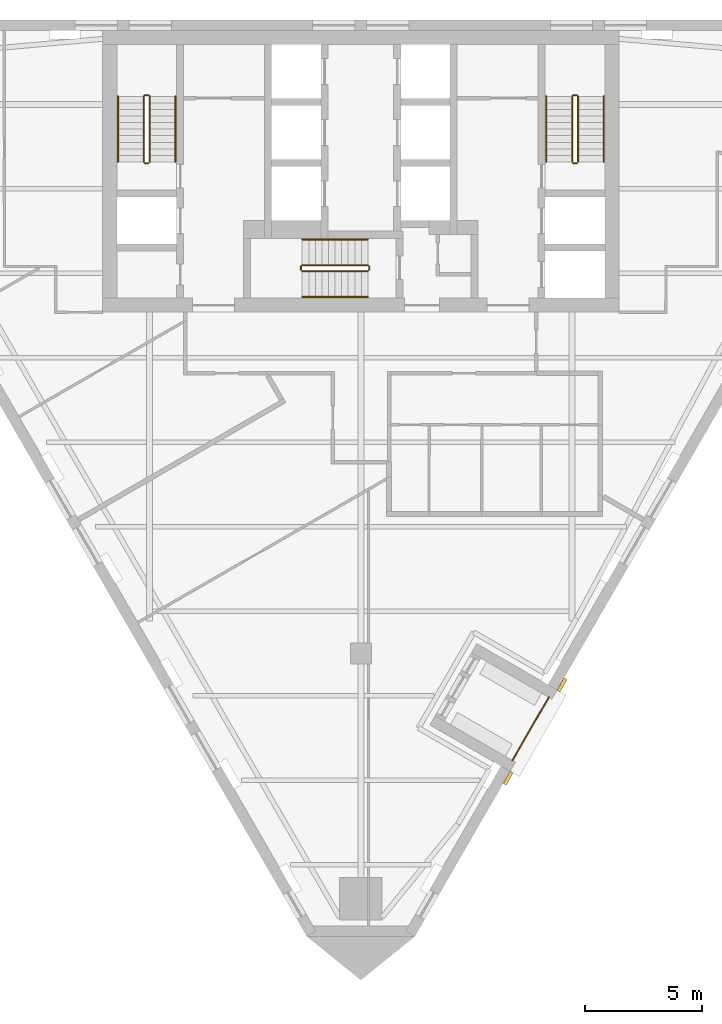
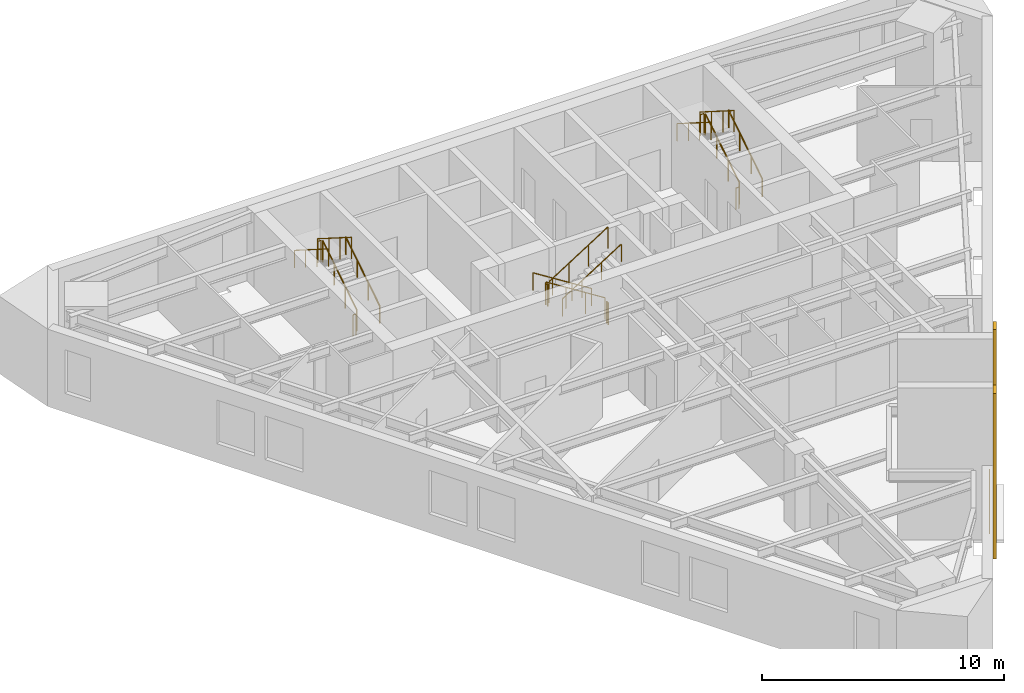
# One storey, part 7 of 7: 19 railings, 2 coverings.
"""IFC4 building model written with IfcOpenShell, lengths in metres."""

from ifc_helpers import new_model, si_unit, direction, frame, origin, origin_2d, place, context, subcontext, project, spatial, polyline, circle, outline, extrude, material, layer, layer_set, type_object, element, save


model = new_model("IFC4")

# Units and contexts
model_context = context("Model", 3, precision=1e-05, world=origin(), true_north=direction((0.0, 1.0)))
body_context = subcontext(model_context, "Body", "Model", "MODEL_VIEW")
ifc_project = project(units=[si_unit("LENGTHUNIT", "METRE"), si_unit("AREAUNIT", "SQUARE_METRE"), si_unit("VOLUMEUNIT", "CUBIC_METRE"), si_unit("PLANEANGLEUNIT", "RADIAN"), si_unit("MASSUNIT", "GRAM", prefix="KILO")], contexts=[model_context])

# Site, building, storey
site_placement = place(None, origin())
site = spatial("IfcSite", under=ifc_project, at=site_placement, CompositionType="ELEMENT")
building_placement = place(site_placement, origin())
building = spatial("IfcBuilding", under=site, at=building_placement, Name="Aloe Facet Convention Tower", CompositionType="ELEMENT")
storey_placement = place(building_placement, frame((0.0, 0.0, 163.699951171875)))
storey = spatial("IfcBuildingStorey", under=building, at=storey_placement, Name="L41", CompositionType="ELEMENT", Elevation=163.699951171875)

# Railings
ifc_material_1 = material(Name="Steel S355 balustrade", Category="steel")
railing_type_1 = type_object("IfcRailingType", Name="CR-RL-GUARD", PredefinedType="GUARDRAIL", material=ifc_material_1)
railing_1_placement = place(storey_placement, frame((71.0, 128.949951171875, 0.17724609375)))
element("IfcRailing", 1, at=railing_1_placement, inside=storey, type_object=railing_type_1, Name="L41 ST1 stair guard 1", PredefinedType="GUARDRAIL", context=body_context, shape_type="SweptSolid", body=[
    extrude(circle(Radius=0.02392578125, at=origin_2d()), frame((0.0, 0.0, 1.076171875), z_axis=(0.0, 0.844908973607, 0.534910110503), x_axis=(-1.0, 0.0, 0.0)), (0.0, 0.0, 1.0), 3.31396484375),
    extrude(circle(Radius=0.02099609375, at=origin_2d()), origin(), (0.0, 0.0, 1.0), 1.052001953125),
    extrude(circle(Radius=0.02099609375, at=origin_2d()), frame((0.0, 0.933349609375, 0.5908203125)), (0.0, 0.0, 1.0), 1.052001953125),
    extrude(circle(Radius=0.02099609375, at=origin_2d()), frame((0.0, 1.86669921875, 1.181884765625)), (0.0, 0.0, 1.0), 1.052001953125),
    extrude(circle(Radius=0.02099609375, at=origin_2d()), frame((0.0, 2.800048828125, 1.772705078125)), (0.0, 0.0, 1.0), 1.052001953125),
])
railing_2_placement = place(storey_placement, frame((70.949951171875, 131.800048828125, 1.949951171875)))
element("IfcRailing", 2, at=railing_2_placement, inside=storey, type_object=railing_type_1, Name="L41 ST1 stair guard 2", PredefinedType="GUARDRAIL", context=body_context, shape_type="SweptSolid", body=[
    extrude(circle(Radius=0.02392578125, at=origin_2d()), frame((0.0, 0.0, 1.076171875), z_axis=(-1.0, 0.0, 0.0), x_axis=(0.0, -1.0, 0.0)), (0.0, 0.0, 1.0), 0.14990234375),
    extrude(circle(Radius=0.02099609375, at=origin_2d()), origin(), (0.0, 0.0, 1.0), 1.052001953125),
    extrude(circle(Radius=0.02099609375, at=origin_2d()), frame((-0.14990234375, 0.0, 0.0)), (0.0, 0.0, 1.0), 1.052001953125),
])
railing_3_placement = place(storey_placement, frame((70.75, 131.75, 2.12744140625)))
element("IfcRailing", 3, at=railing_3_placement, inside=storey, type_object=railing_type_1, Name="L41 ST1 stair guard 3", PredefinedType="GUARDRAIL", context=body_context, shape_type="SweptSolid", body=[
    extrude(circle(Radius=0.02392578125, at=origin_2d()), frame((0.0, 0.0, 1.076171875), z_axis=(0.0, -0.844908973607, 0.534910110503), x_axis=(1.0, 0.0, 0.0)), (0.0, 0.0, 1.0), 3.31396484375),
    extrude(circle(Radius=0.02099609375, at=origin_2d()), origin(), (0.0, 0.0, 1.0), 1.052001953125),
    extrude(circle(Radius=0.02099609375, at=origin_2d()), frame((0.0, -0.933349609375, 0.5908203125)), (0.0, 0.0, 1.0), 1.052001953125),
    extrude(circle(Radius=0.02099609375, at=origin_2d()), frame((0.0, -1.86669921875, 1.181884765625)), (0.0, 0.0, 1.0), 1.052001953125),
    extrude(circle(Radius=0.02099609375, at=origin_2d()), frame((0.0, -2.800048828125, 1.772705078125)), (0.0, 0.0, 1.0), 1.052001953125),
])
railing_4_placement = place(storey_placement, frame((70.949951171875, 128.89990234375, 0.0)))
element("IfcRailing", 4, at=railing_4_placement, inside=storey, type_object=railing_type_1, Name="L41 ST1 stair guard 4", PredefinedType="GUARDRAIL", context=body_context, shape_type="SweptSolid", body=[
    extrude(circle(Radius=0.02392578125, at=origin_2d()), frame((0.0, 0.0, 1.076171875), z_axis=(-1.0, 0.0, 0.0), x_axis=(0.0, -1.0, 0.0)), (0.0, 0.0, 1.0), 0.14990234375),
    extrude(circle(Radius=0.02099609375, at=origin_2d()), origin(), (0.0, 0.0, 1.0), 1.052001953125),
    extrude(circle(Radius=0.02099609375, at=origin_2d()), frame((-0.14990234375, 0.0, 0.0)), (0.0, 0.0, 1.0), 1.052001953125),
])
railing_5_placement = place(storey_placement, frame((89.25, 128.949951171875, 0.17724609375)))
element("IfcRailing", 5, at=railing_5_placement, inside=storey, type_object=railing_type_1, Name="L41 ST2 stair guard 1", PredefinedType="GUARDRAIL", context=body_context, shape_type="SweptSolid", body=[
    extrude(circle(Radius=0.02392578125, at=origin_2d()), frame((0.0, 0.0, 1.076171875), z_axis=(0.0, 0.844908973607, 0.534910110503), x_axis=(-1.0, 0.0, 0.0)), (0.0, 0.0, 1.0), 3.31396484375),
    extrude(circle(Radius=0.02099609375, at=origin_2d()), origin(), (0.0, 0.0, 1.0), 1.052001953125),
    extrude(circle(Radius=0.02099609375, at=origin_2d()), frame((0.0, 0.933349609375, 0.5908203125)), (0.0, 0.0, 1.0), 1.052001953125),
    extrude(circle(Radius=0.02099609375, at=origin_2d()), frame((0.0, 1.86669921875, 1.181884765625)), (0.0, 0.0, 1.0), 1.052001953125),
    extrude(circle(Radius=0.02099609375, at=origin_2d()), frame((0.0, 2.800048828125, 1.772705078125)), (0.0, 0.0, 1.0), 1.052001953125),
])
railing_6_placement = place(storey_placement, frame((89.199951171875, 131.800048828125, 1.949951171875)))
element("IfcRailing", 6, at=railing_6_placement, inside=storey, type_object=railing_type_1, Name="L41 ST2 stair guard 2", PredefinedType="GUARDRAIL", context=body_context, shape_type="SweptSolid", body=[
    extrude(circle(Radius=0.02392578125, at=origin_2d()), frame((0.0, 0.0, 1.076171875), z_axis=(-1.0, 0.0, 0.0), x_axis=(0.0, -1.0, 0.0)), (0.0, 0.0, 1.0), 0.14990234375),
    extrude(circle(Radius=0.02099609375, at=origin_2d()), origin(), (0.0, 0.0, 1.0), 1.052001953125),
    extrude(circle(Radius=0.02099609375, at=origin_2d()), frame((-0.14990234375, 0.0, 0.0)), (0.0, 0.0, 1.0), 1.052001953125),
])
railing_7_placement = place(storey_placement, frame((89.0, 131.75, 2.12744140625)))
element("IfcRailing", 7, at=railing_7_placement, inside=storey, type_object=railing_type_1, Name="L41 ST2 stair guard 3", PredefinedType="GUARDRAIL", context=body_context, shape_type="SweptSolid", body=[
    extrude(circle(Radius=0.02392578125, at=origin_2d()), frame((0.0, 0.0, 1.076171875), z_axis=(0.0, -0.844908973607, 0.534910110503), x_axis=(1.0, 0.0, 0.0)), (0.0, 0.0, 1.0), 3.31396484375),
    extrude(circle(Radius=0.02099609375, at=origin_2d()), origin(), (0.0, 0.0, 1.0), 1.052001953125),
    extrude(circle(Radius=0.02099609375, at=origin_2d()), frame((0.0, -0.933349609375, 0.5908203125)), (0.0, 0.0, 1.0), 1.052001953125),
    extrude(circle(Radius=0.02099609375, at=origin_2d()), frame((0.0, -1.86669921875, 1.181884765625)), (0.0, 0.0, 1.0), 1.052001953125),
    extrude(circle(Radius=0.02099609375, at=origin_2d()), frame((0.0, -2.800048828125, 1.772705078125)), (0.0, 0.0, 1.0), 1.052001953125),
])
railing_8_placement = place(storey_placement, frame((89.199951171875, 128.89990234375, 0.0)))
element("IfcRailing", 8, at=railing_8_placement, inside=storey, type_object=railing_type_1, Name="L41 ST2 stair guard 4", PredefinedType="GUARDRAIL", context=body_context, shape_type="SweptSolid", body=[
    extrude(circle(Radius=0.02392578125, at=origin_2d()), frame((0.0, 0.0, 1.076171875), z_axis=(-1.0, 0.0, 0.0), x_axis=(0.0, -1.0, 0.0)), (0.0, 0.0, 1.0), 0.14990234375),
    extrude(circle(Radius=0.02099609375, at=origin_2d()), origin(), (0.0, 0.0, 1.0), 1.052001953125),
    extrude(circle(Radius=0.02099609375, at=origin_2d()), frame((-0.14990234375, 0.0, 0.0)), (0.0, 0.0, 1.0), 1.052001953125),
])
railing_9_placement = place(storey_placement, frame((80.300048828125, 124.550048828125, 0.17724609375)))
element("IfcRailing", 9, at=railing_9_placement, inside=storey, type_object=railing_type_1, Name="L41 ST3 stair guard 1", PredefinedType="GUARDRAIL", context=body_context, shape_type="SweptSolid", body=[
    extrude(circle(Radius=0.02392578125, at=origin_2d()), frame((0.0, 0.0, 1.076171875), z_axis=(-0.844908973607, 0.0, 0.534910110503), x_axis=(0.0, -1.0, 0.0)), (0.0, 0.0, 1.0), 3.31396484375),
    extrude(circle(Radius=0.02099609375, at=origin_2d()), origin(), (0.0, 0.0, 1.0), 1.052001953125),
    extrude(circle(Radius=0.02099609375, at=origin_2d()), frame((-0.933349609375, 0.0, 0.5908203125)), (0.0, 0.0, 1.0), 1.052001953125),
    extrude(circle(Radius=0.02099609375, at=origin_2d()), frame((-1.86669921875, 0.0, 1.181884765625)), (0.0, 0.0, 1.0), 1.052001953125),
    extrude(circle(Radius=0.02099609375, at=origin_2d()), frame((-2.800048828125, 0.0, 1.772705078125)), (0.0, 0.0, 1.0), 1.052001953125),
])
railing_10_placement = place(storey_placement, frame((77.449951171875, 124.5, 1.949951171875)))
element("IfcRailing", 10, at=railing_10_placement, inside=storey, type_object=railing_type_1, Name="L41 ST3 stair guard 2", PredefinedType="GUARDRAIL", context=body_context, shape_type="SweptSolid", body=[
    extrude(circle(Radius=0.02392578125, at=origin_2d()), frame((0.0, 0.0, 1.076171875), z_axis=(0.0, -1.0, 0.0), x_axis=(1.0, 0.0, 0.0)), (0.0, 0.0, 1.0), 0.14990234375),
    extrude(circle(Radius=0.02099609375, at=origin_2d()), origin(), (0.0, 0.0, 1.0), 1.052001953125),
    extrude(circle(Radius=0.02099609375, at=origin_2d()), frame((0.0, -0.14990234375, 0.0)), (0.0, 0.0, 1.0), 1.052001953125),
])
railing_11_placement = place(storey_placement, frame((77.5, 124.300048828125, 2.12744140625)))
element("IfcRailing", 11, at=railing_11_placement, inside=storey, type_object=railing_type_1, Name="L41 ST3 stair guard 3", PredefinedType="GUARDRAIL", context=body_context, shape_type="SweptSolid", body=[
    extrude(circle(Radius=0.02392578125, at=origin_2d()), frame((0.0, 0.0, 1.076171875), z_axis=(0.844908973607, 0.0, 0.534910110503), x_axis=(0.0, 1.0, 0.0)), (0.0, 0.0, 1.0), 3.31396484375),
    extrude(circle(Radius=0.02099609375, at=origin_2d()), origin(), (0.0, 0.0, 1.0), 1.052001953125),
    extrude(circle(Radius=0.02099609375, at=origin_2d()), frame((0.933349609375, 0.0, 0.5908203125)), (0.0, 0.0, 1.0), 1.052001953125),
    extrude(circle(Radius=0.02099609375, at=origin_2d()), frame((1.86669921875, 0.0, 1.181884765625)), (0.0, 0.0, 1.0), 1.052001953125),
    extrude(circle(Radius=0.02099609375, at=origin_2d()), frame((2.800048828125, 0.0, 1.772705078125)), (0.0, 0.0, 1.0), 1.052001953125),
])
railing_12_placement = place(storey_placement, frame((80.35009765625, 124.5, 0.0)))
element("IfcRailing", 12, at=railing_12_placement, inside=storey, type_object=railing_type_1, Name="L41 ST3 stair guard 4", PredefinedType="GUARDRAIL", context=body_context, shape_type="SweptSolid", body=[
    extrude(circle(Radius=0.02392578125, at=origin_2d()), frame((0.0, 0.0, 1.076171875), z_axis=(0.0, -1.0, 0.0), x_axis=(1.0, 0.0, 0.0)), (0.0, 0.0, 1.0), 0.14990234375),
    extrude(circle(Radius=0.02099609375, at=origin_2d()), origin(), (0.0, 0.0, 1.0), 1.052001953125),
    extrude(circle(Radius=0.02099609375, at=origin_2d()), frame((0.0, -0.14990234375, 0.0)), (0.0, 0.0, 1.0), 1.052001953125),
])
ifc_material_2 = material(Name="Steel S355 handrail", Category="steel")
railing_type_2 = type_object("IfcRailingType", Name="CR-RL-HAND", PredefinedType="HANDRAIL", material=ifc_material_2)
railing_13_placement = place(storey_placement, frame((72.10009765625, 128.949951171875, 0.17724609375)))
element("IfcRailing", 13, at=railing_13_placement, inside=storey, type_object=railing_type_2, Name="L41 ST1 stair handrail 1", PredefinedType="HANDRAIL", context=body_context, shape_type="SweptSolid", body=[
    extrude(circle(Radius=0.02392578125, at=origin_2d()), frame((0.0, 0.0, 0.8759765625), z_axis=(0.0, 0.844908973607, 0.534910110503), x_axis=(-1.0, 0.0, 0.0)), (0.0, 0.0, 1.0), 3.31396484375),
    extrude(circle(Radius=0.02099609375, at=origin_2d()), origin(), (0.0, 0.0, 1.0), 0.851806640625),
    extrude(circle(Radius=0.02099609375, at=origin_2d()), frame((0.0, 0.933349609375, 0.5908203125)), (0.0, 0.0, 1.0), 0.851806640625),
    extrude(circle(Radius=0.02099609375, at=origin_2d()), frame((0.0, 1.86669921875, 1.181884765625)), (0.0, 0.0, 1.0), 0.851806640625),
    extrude(circle(Radius=0.02099609375, at=origin_2d()), frame((0.0, 2.800048828125, 1.772705078125)), (0.0, 0.0, 1.0), 0.851806640625),
])
railing_14_placement = place(storey_placement, frame((69.64990234375, 131.75, 2.12744140625)))
element("IfcRailing", 14, at=railing_14_placement, inside=storey, type_object=railing_type_2, Name="L41 ST1 stair handrail 2", PredefinedType="HANDRAIL", context=body_context, shape_type="SweptSolid", body=[
    extrude(circle(Radius=0.02392578125, at=origin_2d()), frame((0.0, 0.0, 0.8759765625), z_axis=(0.0, -0.844908973607, 0.534910110503), x_axis=(1.0, 0.0, 0.0)), (0.0, 0.0, 1.0), 3.31396484375),
    extrude(circle(Radius=0.02099609375, at=origin_2d()), origin(), (0.0, 0.0, 1.0), 0.851806640625),
    extrude(circle(Radius=0.02099609375, at=origin_2d()), frame((0.0, -0.933349609375, 0.5908203125)), (0.0, 0.0, 1.0), 0.851806640625),
    extrude(circle(Radius=0.02099609375, at=origin_2d()), frame((0.0, -1.86669921875, 1.181884765625)), (0.0, 0.0, 1.0), 0.851806640625),
    extrude(circle(Radius=0.02099609375, at=origin_2d()), frame((0.0, -2.800048828125, 1.772705078125)), (0.0, 0.0, 1.0), 0.851806640625),
])
railing_15_placement = place(storey_placement, frame((90.35009765625, 128.949951171875, 0.17724609375)))
element("IfcRailing", 15, at=railing_15_placement, inside=storey, type_object=railing_type_2, Name="L41 ST2 stair handrail 1", PredefinedType="HANDRAIL", context=body_context, shape_type="SweptSolid", body=[
    extrude(circle(Radius=0.02392578125, at=origin_2d()), frame((0.0, 0.0, 0.8759765625), z_axis=(0.0, 0.844908973607, 0.534910110503), x_axis=(-1.0, 0.0, 0.0)), (0.0, 0.0, 1.0), 3.31396484375),
    extrude(circle(Radius=0.02099609375, at=origin_2d()), origin(), (0.0, 0.0, 1.0), 0.851806640625),
    extrude(circle(Radius=0.02099609375, at=origin_2d()), frame((0.0, 0.933349609375, 0.5908203125)), (0.0, 0.0, 1.0), 0.851806640625),
    extrude(circle(Radius=0.02099609375, at=origin_2d()), frame((0.0, 1.86669921875, 1.181884765625)), (0.0, 0.0, 1.0), 0.851806640625),
    extrude(circle(Radius=0.02099609375, at=origin_2d()), frame((0.0, 2.800048828125, 1.772705078125)), (0.0, 0.0, 1.0), 0.851806640625),
])
railing_16_placement = place(storey_placement, frame((87.89990234375, 131.75, 2.12744140625)))
element("IfcRailing", 16, at=railing_16_placement, inside=storey, type_object=railing_type_2, Name="L41 ST2 stair handrail 2", PredefinedType="HANDRAIL", context=body_context, shape_type="SweptSolid", body=[
    extrude(circle(Radius=0.02392578125, at=origin_2d()), frame((0.0, 0.0, 0.8759765625), z_axis=(0.0, -0.844908973607, 0.534910110503), x_axis=(1.0, 0.0, 0.0)), (0.0, 0.0, 1.0), 3.31396484375),
    extrude(circle(Radius=0.02099609375, at=origin_2d()), origin(), (0.0, 0.0, 1.0), 0.851806640625),
    extrude(circle(Radius=0.02099609375, at=origin_2d()), frame((0.0, -0.933349609375, 0.5908203125)), (0.0, 0.0, 1.0), 0.851806640625),
    extrude(circle(Radius=0.02099609375, at=origin_2d()), frame((0.0, -1.86669921875, 1.181884765625)), (0.0, 0.0, 1.0), 0.851806640625),
    extrude(circle(Radius=0.02099609375, at=origin_2d()), frame((0.0, -2.800048828125, 1.772705078125)), (0.0, 0.0, 1.0), 0.851806640625),
])
railing_17_placement = place(storey_placement, frame((80.300048828125, 125.64990234375, 0.17724609375)))
element("IfcRailing", 17, at=railing_17_placement, inside=storey, type_object=railing_type_2, Name="L41 ST3 stair handrail 1", PredefinedType="HANDRAIL", context=body_context, shape_type="SweptSolid", body=[
    extrude(circle(Radius=0.02392578125, at=origin_2d()), frame((0.0, 0.0, 0.8759765625), z_axis=(-0.844908973607, 0.0, 0.534910110503), x_axis=(0.0, -1.0, 0.0)), (0.0, 0.0, 1.0), 3.31396484375),
    extrude(circle(Radius=0.02099609375, at=origin_2d()), origin(), (0.0, 0.0, 1.0), 0.851806640625),
    extrude(circle(Radius=0.02099609375, at=origin_2d()), frame((-0.933349609375, 0.0, 0.5908203125)), (0.0, 0.0, 1.0), 0.851806640625),
    extrude(circle(Radius=0.02099609375, at=origin_2d()), frame((-1.86669921875, 0.0, 1.181884765625)), (0.0, 0.0, 1.0), 0.851806640625),
    extrude(circle(Radius=0.02099609375, at=origin_2d()), frame((-2.800048828125, 0.0, 1.772705078125)), (0.0, 0.0, 1.0), 0.851806640625),
])
railing_18_placement = place(storey_placement, frame((77.5, 123.199951171875, 2.12744140625)))
element("IfcRailing", 18, at=railing_18_placement, inside=storey, type_object=railing_type_2, Name="L41 ST3 stair handrail 2", PredefinedType="HANDRAIL", context=body_context, shape_type="SweptSolid", body=[
    extrude(circle(Radius=0.02392578125, at=origin_2d()), frame((0.0, 0.0, 0.8759765625), z_axis=(0.844908973607, 0.0, 0.534910110503), x_axis=(0.0, 1.0, 0.0)), (0.0, 0.0, 1.0), 3.31396484375),
    extrude(circle(Radius=0.02099609375, at=origin_2d()), origin(), (0.0, 0.0, 1.0), 0.851806640625),
    extrude(circle(Radius=0.02099609375, at=origin_2d()), frame((0.933349609375, 0.0, 0.5908203125)), (0.0, 0.0, 1.0), 0.851806640625),
    extrude(circle(Radius=0.02099609375, at=origin_2d()), frame((1.86669921875, 0.0, 1.181884765625)), (0.0, 0.0, 1.0), 0.851806640625),
    extrude(circle(Radius=0.02099609375, at=origin_2d()), frame((2.800048828125, 0.0, 1.772705078125)), (0.0, 0.0, 1.0), 0.851806640625),
])

# Coverings
ifc_material_3 = material(Name="Bronze oxide fascia sheet")
ifc_layer = layer(ifc_material_3, 0.14990234375)
ifc_layer_set = layer_set([ifc_layer], Name="EV-FASCIA-TERR")
covering_type = type_object("IfcCoveringType", Name="EV-FASCIA-TERR", PredefinedType="CLADDING", material=ifc_layer_set)
covering_1_placement = place(storey_placement, frame((0.0, 0.0, -0.550048828125)))
element("IfcCovering", 19, at=covering_1_placement, inside=storey, type_object=covering_type, Name="Terrace frame T09 1", PredefinedType="CLADDING", context=body_context, shape_type="SweptSolid", body=[
    extrude(outline(polyline([(86.190673828125, 102.39306640625), (86.49072265625, 102.91259765625), (86.36083984375, 102.98779296875), (86.060791015625, 102.468017578125), (86.190673828125, 102.39306640625)])), origin(), (0.0, 0.0, 1.0), 8.35009765625),
])
covering_2_placement = place(storey_placement, frame((0.0, 0.0, -0.550048828125)))
element("IfcCovering", 20, at=covering_2_placement, inside=storey, type_object=covering_type, Name="Terrace frame T09 2", PredefinedType="CLADDING", context=body_context, shape_type="SweptSolid", body=[
    extrude(outline(polyline([(88.49072265625, 106.376708984375), (88.790771484375, 106.896484375), (88.660888671875, 106.971435546875), (88.36083984375, 106.451904296875), (88.49072265625, 106.376708984375)])), origin(), (0.0, 0.0, 1.0), 8.35009765625),
])

# Railing
ifc_material_4 = material(Name="Steel S355, bronze oxide finish", Category="steel")
railing_type_3 = type_object("IfcRailingType", Name="EV-GUARD-TERR", PredefinedType="GUARDRAIL", material=ifc_material_4)
railing_19_placement = place(storey_placement, frame((86.455810546875, 103.452392578125, 0.0)))
element("IfcRailing", 21, at=railing_19_placement, inside=storey, type_object=railing_type_3, Name="GUARD T09", PredefinedType="GUARDRAIL", context=body_context, shape_type="SweptSolid", body=[
    extrude(circle(Radius=0.02392578125, at=origin_2d()), frame((0.0, 0.0, 1.076171875), z_axis=(0.49999285859, 0.86602952684, 0.0), x_axis=(-0.86602952684, 0.49999285859, 0.0)), (0.0, 0.0, 1.0), 3.10009765625),
    extrude(circle(Radius=0.02099609375, at=origin_2d()), origin(), (0.0, 0.0, 1.0), 1.052001953125),
    extrude(circle(Radius=0.02099609375, at=origin_2d()), frame((0.5166015625, 0.89501953125, 0.0)), (0.0, 0.0, 1.0), 1.052001953125),
    extrude(circle(Radius=0.02099609375, at=origin_2d()), frame((1.033447265625, 1.789794921875, 0.0)), (0.0, 0.0, 1.0), 1.052001953125),
    extrude(circle(Radius=0.02099609375, at=origin_2d()), frame((1.550048828125, 2.684814453125, 0.0)), (0.0, 0.0, 1.0), 1.052001953125),
])

save(model, "model.ifc")
